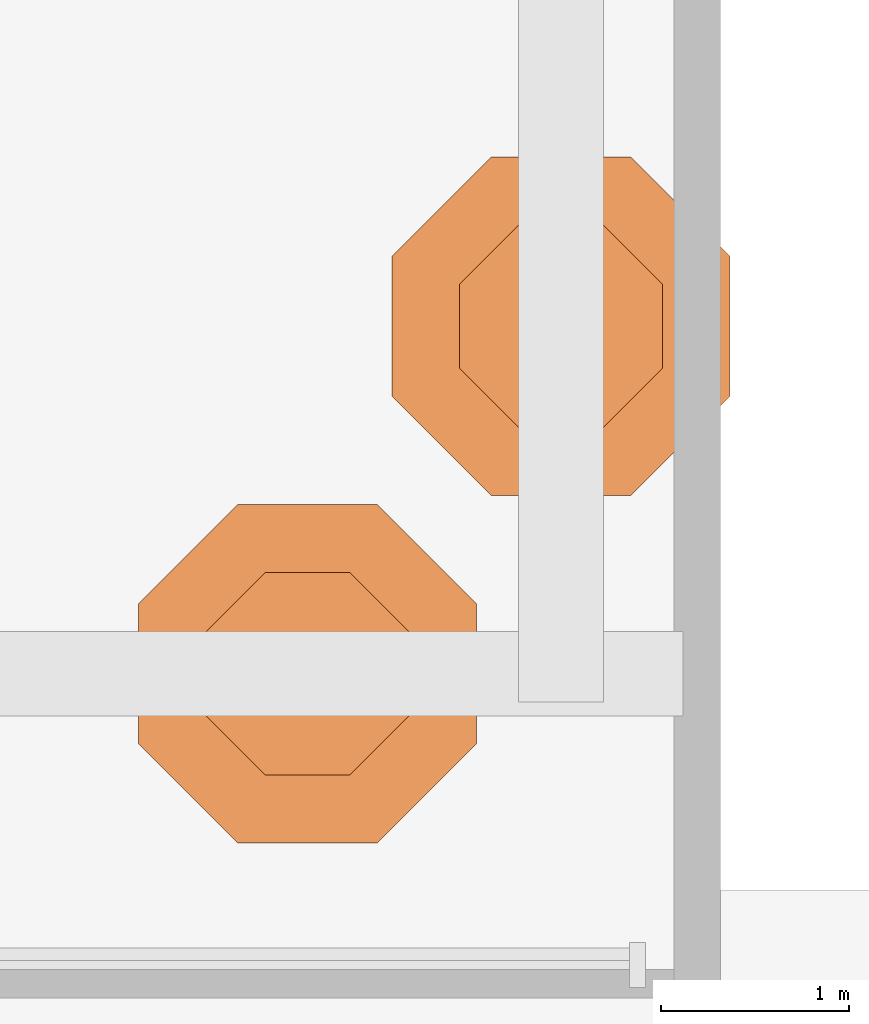
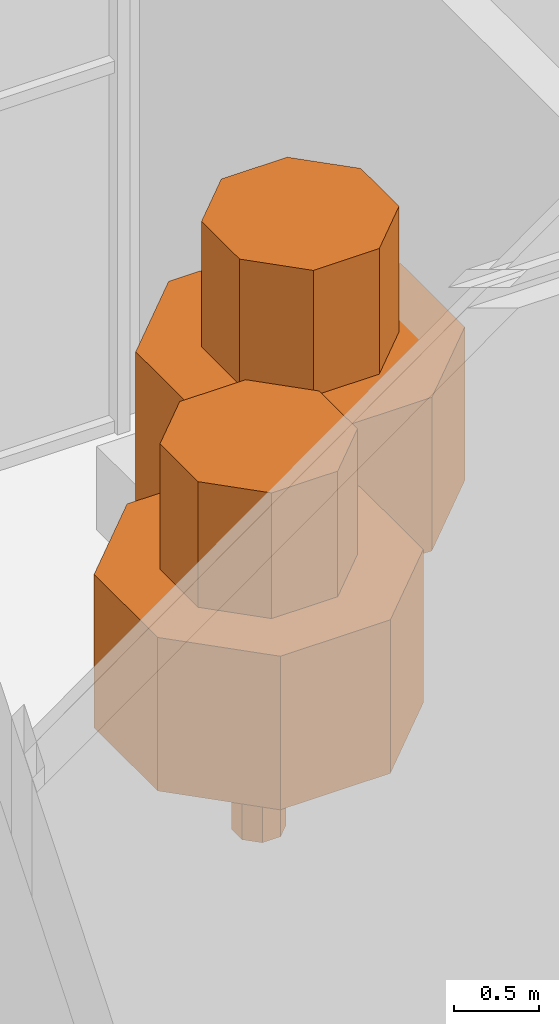
# One storey, part 12 of 12: 2 geographic elements.
"""IFC4 building model written with IfcOpenShell, lengths in metres."""

from ifc_helpers import new_model, si_unit, direction, frame, origin, place, context, subcontext, project, spatial, polyline, outline, extrude, material, type_object, element, save


model = new_model("IFC4")

# Units and contexts
model_context = context("Model", 3, precision=1e-05, world=origin(), true_north=direction((0.0, 1.0)))
body_context = subcontext(model_context, "Body", "Model", "MODEL_VIEW")
ifc_project = project(units=[si_unit("LENGTHUNIT", "METRE"), si_unit("AREAUNIT", "SQUARE_METRE"), si_unit("VOLUMEUNIT", "CUBIC_METRE"), si_unit("PLANEANGLEUNIT", "RADIAN"), si_unit("MASSUNIT", "GRAM", prefix="KILO")], contexts=[model_context])

# Site, building, storey
site_placement = place(None, origin())
site = spatial("IfcSite", under=ifc_project, at=site_placement, CompositionType="ELEMENT")
building_placement = place(site_placement, origin())
building = spatial("IfcBuilding", under=site, at=building_placement, Name="Cypress Arch Tower", CompositionType="ELEMENT")
storey_placement = place(building_placement, frame((0.0, 0.0, 329.5)))
storey = spatial("IfcBuildingStorey", under=building, at=storey_placement, Name="L75", CompositionType="ELEMENT", Elevation=329.5)

# Geographic elements
ifc_material = material(Name="Foliage and planting")
geographic_element_type = type_object("IfcGeographicElementType", Name="Balcony tree TR", PredefinedType="USERDEFINED", material=ifc_material)
for number, where, z_axis, x_axis, name in (
    (1, (13.949951171875, 0.5, 0.60009765625), (0.0, 0.0, 1.0), (1.0, 0.0, 0.0), "Deck tree L75 E1.1"),
    (2, (12.60009765625, -1.35009765625, 0.60009765625), (0.0, 0.0, 1.0), (1.0, 0.0, 0.0), "Deck tree L75 E2.1"),
):
    element("IfcGeographicElement", number, at=place(storey_placement, frame(where, z_axis=z_axis, x_axis=x_axis)), inside=storey, type_object=geographic_element_type, Name=name, ObjectType="TREE", PredefinedType="USERDEFINED", context=body_context, shape_type="SweptSolid", body=[
        extrude(outline(polyline([(0.14990234375, 0.06201171875), (0.06201171875, 0.14990234375), (-0.06201171875, 0.14990234375), (-0.14990234375, 0.06201171875), (-0.14990234375, -0.06201171875), (-0.06201171875, -0.14990234375), (0.06201171875, -0.14990234375), (0.14990234375, -0.06201171875), (0.14990234375, 0.06201171875)])), origin(), (0.0, 0.0, 1.0), 0.89990234375),
        extrude(outline(polyline([(0.89990234375, 0.372802734375), (0.372802734375, 0.89990234375), (-0.372802734375, 0.89990234375), (-0.89990234375, 0.372802734375), (-0.89990234375, -0.372802734375), (-0.372802734375, -0.89990234375), (0.372802734375, -0.89990234375), (0.89990234375, -0.372802734375), (0.89990234375, 0.372802734375)])), frame((0.0, 0.0, 0.800048828125)), (0.0, 0.0, 1.0), 1.10009765625),
        extrude(outline(polyline([(0.5400390625, 0.2236328125), (0.2236328125, 0.5400390625), (-0.2236328125, 0.5400390625), (-0.5400390625, 0.2236328125), (-0.5400390625, -0.2236328125), (-0.2236328125, -0.5400390625), (0.2236328125, -0.5400390625), (0.5400390625, -0.2236328125), (0.5400390625, 0.2236328125)])), frame((0.0, 0.0, 1.89990234375)), (0.0, 0.0, 1.0), 0.89990234375),
    ])

save(model, "model.ifc")
